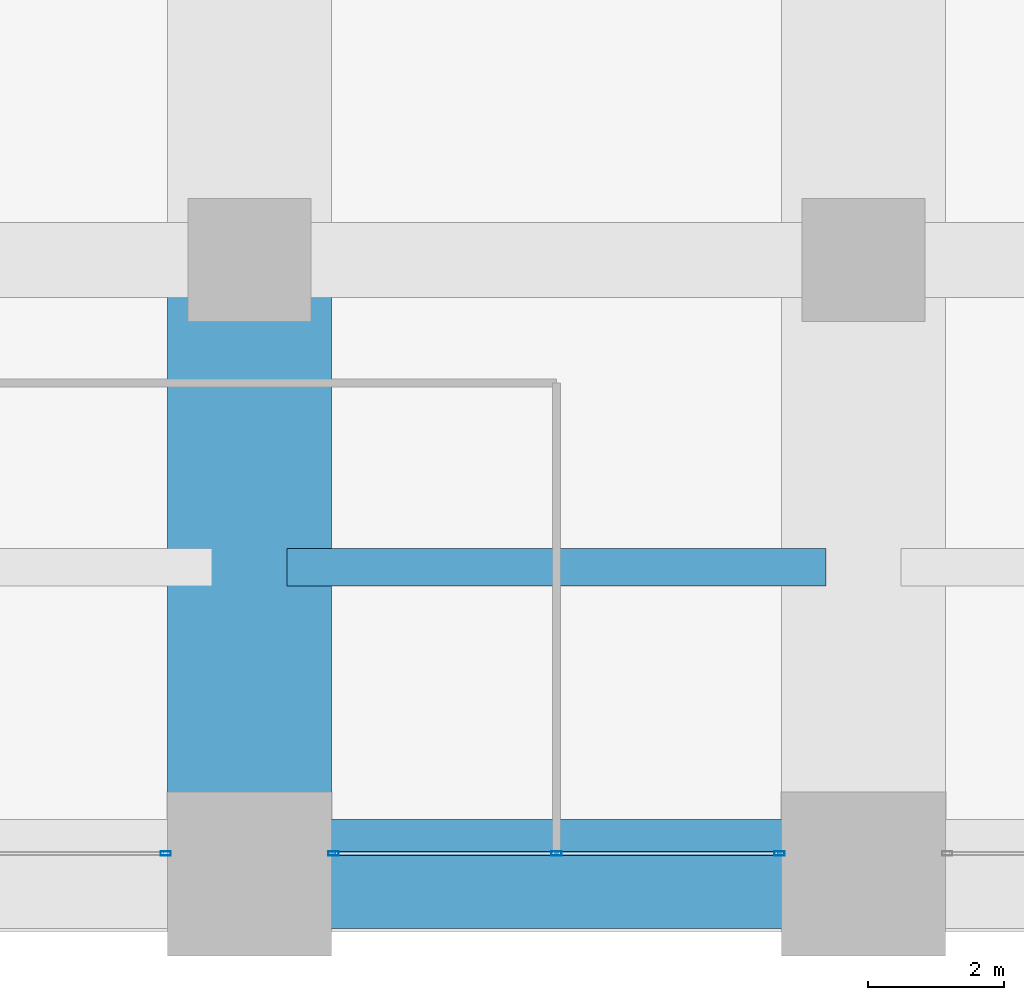
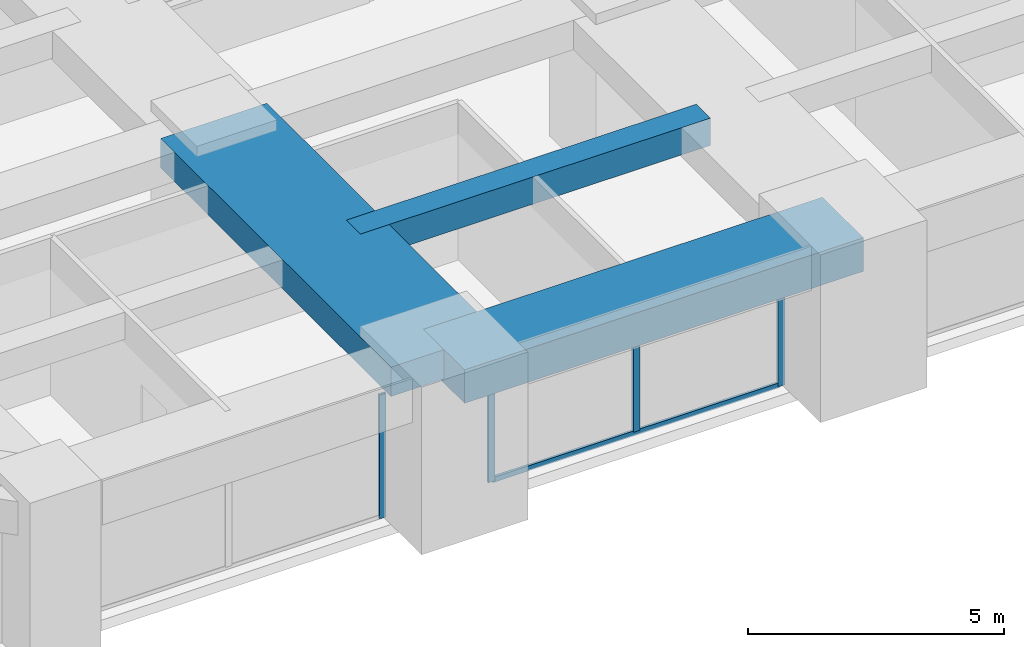
# One storey, part 6 of 42: 5 members, 3 beams, 2 elements without a shape of their own.
"""IFC4 building model written with IfcOpenShell, lengths in metres."""

from ifc_helpers import new_model, si_unit, direction, frame, origin, origin_2d, place, context, subcontext, project, spatial, rectangle, hollow_rectangle, extrude, material, material_profile, profile_set, type_object, element, aggregate, save


model = new_model("IFC4")

# Units and contexts
model_context = context("Model", 3, precision=1e-05, world=origin(), true_north=direction((0.0, 1.0)))
body_context = subcontext(model_context, "Body", "Model", "MODEL_VIEW")
ifc_project = project(units=[si_unit("LENGTHUNIT", "METRE"), si_unit("AREAUNIT", "SQUARE_METRE"), si_unit("VOLUMEUNIT", "CUBIC_METRE"), si_unit("PLANEANGLEUNIT", "RADIAN"), si_unit("MASSUNIT", "GRAM", prefix="KILO")], contexts=[model_context])

# Site, building, storey
site_placement = place(None, origin())
site = spatial("IfcSite", under=ifc_project, at=site_placement, CompositionType="ELEMENT")
building_placement = place(site_placement, origin())
building = spatial("IfcBuilding", under=site, at=building_placement, Name="Zorevar Civic Tower", CompositionType="ELEMENT")
storey_placement = place(building_placement, frame((0.0, 0.0, 149.0)))
storey = spatial("IfcBuildingStorey", under=building, at=storey_placement, Name="L36", CompositionType="ELEMENT", Elevation=149.0)

# Beams
ifc_material_1 = material(Name="Concrete C50/60", Category="concrete")
ifc_material_profile_1 = material_profile(ifc_material_1, rectangle(XDim=2.39990234375, YDim=0.699951171875, at=origin_2d()), Name="RC 2400x700")
ifc_profile_set_1 = profile_set([ifc_material_profile_1], Name="Concrete C50/60")
beam_type_1 = type_object("IfcBeamType", Name="Beam RC 2400x700", PredefinedType="BEAM", material=ifc_profile_set_1)
beam_1_placement = place(storey_placement, frame((18.0, 0.0, 3.39990234375), z_axis=(0.0, 1.0, 0.0), x_axis=(-1.0, 0.0, 0.0)))
element("IfcBeam", 1, at=beam_1_placement, inside=storey, type_object=beam_type_1, Name="Girder L37", PredefinedType="BEAM", context=body_context, shape_type="SweptSolid", body=[
    extrude(rectangle(XDim=2.39990234375, YDim=0.699951171875, at=origin_2d()), origin(), (0.0, 0.0, 1.0), 9.0),
])
ifc_material_2 = material(Name="Concrete C50/60", Category="concrete")
ifc_material_profile_2 = material_profile(ifc_material_2, rectangle(XDim=0.550048828125, YDim=0.64990234375, at=origin_2d()), Name="RC 550x650")
ifc_profile_set_2 = profile_set([ifc_material_profile_2], Name="Concrete C50/60")
beam_type_2 = type_object("IfcBeamType", Name="Beam RC 550x650", PredefinedType="BEAM", material=ifc_profile_set_2)
beam_2_placement = place(storey_placement, frame((18.550048828125, 4.5, 3.425048828125), z_axis=(1.0, 0.0, 0.0), x_axis=(0.0, 1.0, 0.0)))
element("IfcBeam", 2, at=beam_2_placement, inside=storey, type_object=beam_type_2, Name="Secondary beam L37", PredefinedType="BEAM", context=body_context, shape_type="SweptSolid", body=[
    extrude(rectangle(XDim=0.550048828125, YDim=0.64990234375, at=origin_2d()), origin(), (0.0, 0.0, 1.0), 7.89990234375),
])

# Curtain wall, member
ifc_material_3 = material(Name="Dark grey solar-control glass in black aluminium frame", Category="aluminium")
curtain_wall_type = type_object("IfcCurtainWallType", Name="Curtain wall CW3 mid zone", PredefinedType="NOTDEFINED", material=ifc_material_3)
curtain_wall_1_placement = place(storey_placement, origin())
curtain_wall_1 = element("IfcCurtainWall", 3, at=curtain_wall_1_placement, inside=storey, type_object=curtain_wall_type, Name="CW3 L36", PredefinedType="NOTDEFINED")
ifc_material_4 = material(Name="Aluminium, black anodised", Category="aluminium")
ifc_material_profile_3 = material_profile(ifc_material_4, hollow_rectangle(XDim=0.06005859375, YDim=0.14990234375, WallThickness=0.00390625, at=origin_2d()), Name="AL 150x60x4")
ifc_profile_set_3 = profile_set([ifc_material_profile_3], Name="Aluminium, black anodised")
member_type_1 = type_object("IfcMemberType", Name="CW3 mullion AL 150x60x4", PredefinedType="MULLION", material=ifc_profile_set_3)
member_1_placement = place(storey_placement, frame((16.77001953125, 0.300048828125, 0.0), z_axis=(0.0, 0.0, 1.0), x_axis=(0.0, 1.0, 0.0)))
member_1 = element("IfcMember", 4, at=member_1_placement, type_object=member_type_1, Name="CW3 mullion 3", PredefinedType="MULLION", context=body_context, shape_type="SweptSolid", body=[
    extrude(hollow_rectangle(XDim=0.06005859375, YDim=0.14990234375, WallThickness=0.00390625, at=origin_2d()), origin(), (0.0, 0.0, 1.0), 2.949951171875),
])
aggregate(curtain_wall_1, [member_1])

# Curtain wall, members
curtain_wall_2_placement = place(storey_placement, origin())
curtain_wall_2 = element("IfcCurtainWall", 5, at=curtain_wall_2_placement, inside=storey, type_object=curtain_wall_type, Name="CW3 L36", PredefinedType="NOTDEFINED")
member_2_placement = place(storey_placement, frame((19.22998046875, 0.300048828125, 0.0), z_axis=(0.0, 0.0, 1.0), x_axis=(0.0, 1.0, 0.0)))
member_2 = element("IfcMember", 6, at=member_2_placement, type_object=member_type_1, Name="CW3 mullion 1", PredefinedType="MULLION", context=body_context, shape_type="SweptSolid", body=[
    extrude(hollow_rectangle(XDim=0.06005859375, YDim=0.14990234375, WallThickness=0.00390625, at=origin_2d()), origin(), (0.0, 0.0, 1.0), 2.949951171875),
])
member_3_placement = place(storey_placement, frame((22.5, 0.300048828125, 0.06005859375), z_axis=(0.0, 0.0, 1.0), x_axis=(0.0, 1.0, 0.0)))
member_3 = element("IfcMember", 7, at=member_3_placement, type_object=member_type_1, Name="CW3 mullion 2", PredefinedType="MULLION", context=body_context, shape_type="SweptSolid", body=[
    extrude(hollow_rectangle(XDim=0.06005859375, YDim=0.14990234375, WallThickness=0.00390625, at=origin_2d()), origin(), (0.0, 0.0, 1.0), 2.889892578125),
])
member_4_placement = place(storey_placement, frame((25.77001953125, 0.300048828125, 0.0), z_axis=(0.0, 0.0, 1.0), x_axis=(0.0, 1.0, 0.0)))
member_4 = element("IfcMember", 8, at=member_4_placement, type_object=member_type_1, Name="CW3 mullion 3", PredefinedType="MULLION", context=body_context, shape_type="SweptSolid", body=[
    extrude(hollow_rectangle(XDim=0.06005859375, YDim=0.14990234375, WallThickness=0.00390625, at=origin_2d()), origin(), (0.0, 0.0, 1.0), 2.949951171875),
])
ifc_material_5 = material(Name="Aluminium, black anodised", Category="aluminium")
ifc_material_profile_4 = material_profile(ifc_material_5, hollow_rectangle(XDim=0.06005859375, YDim=0.1201171875, WallThickness=0.0029296875, at=origin_2d()), Name="AL 120x60x3")
ifc_profile_set_4 = profile_set([ifc_material_profile_4], Name="Aluminium, black anodised")
member_type_2 = type_object("IfcMemberType", Name="CW3 transom AL 120x60x3", PredefinedType="USERDEFINED", material=ifc_profile_set_4)
member_5_placement = place(storey_placement, frame((19.260009765625, 0.300048828125, 0.030029296875), z_axis=(1.0, 0.0, 0.0), x_axis=(0.0, 1.0, 0.0)))
member_5 = element("IfcMember", 9, at=member_5_placement, type_object=member_type_2, Name="CW3 sill transom", ObjectType="TRANSOM", PredefinedType="USERDEFINED", context=body_context, shape_type="SweptSolid", body=[
    extrude(hollow_rectangle(XDim=0.06005859375, YDim=0.1201171875, WallThickness=0.0029296875, at=origin_2d()), origin(), (0.0, 0.0, 1.0), 6.47998046875),
])
aggregate(curtain_wall_2, [member_2, member_3, member_4, member_5])

# Beam
ifc_material_6 = material(Name="Concrete C50/60", Category="concrete")
ifc_material_profile_5 = material_profile(ifc_material_6, rectangle(XDim=1.60009765625, YDim=0.800048828125, at=origin_2d()), Name="RC 1600x800")
ifc_profile_set_5 = profile_set([ifc_material_profile_5], Name="Concrete C50/60")
beam_type_3 = type_object("IfcBeamType", Name="Edge beam RC 1600x800", PredefinedType="SPANDREL", material=ifc_profile_set_5)
beam_3_placement = place(storey_placement, frame((18.0, 0.0, 3.35009765625), z_axis=(1.0, 0.0, 0.0), x_axis=(0.0, 1.0, 0.0)))
element("IfcBeam", 10, at=beam_3_placement, inside=storey, type_object=beam_type_3, Name="Edge beam L37", PredefinedType="SPANDREL", context=body_context, shape_type="SweptSolid", body=[
    extrude(rectangle(XDim=1.60009765625, YDim=0.800048828125, at=origin_2d()), origin(), (0.0, 0.0, 1.0), 9.0),
])

save(model, "model.ifc")
